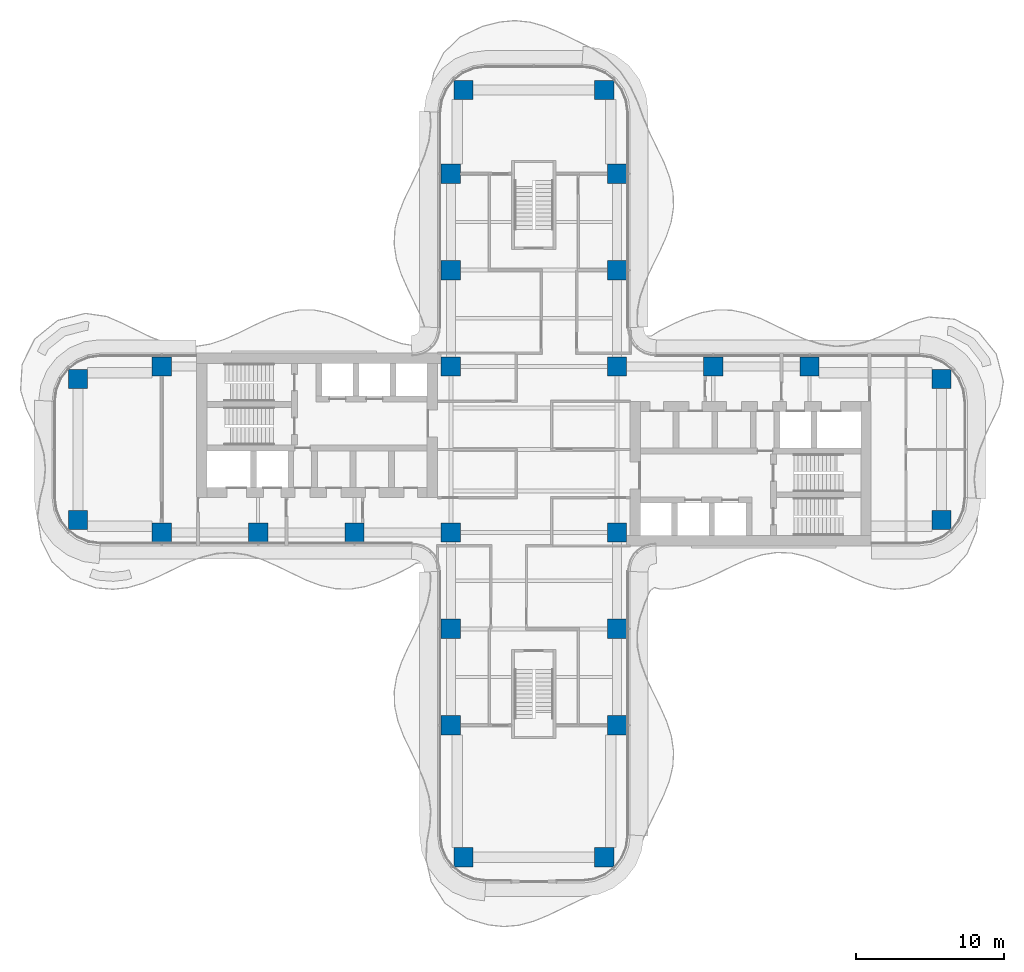
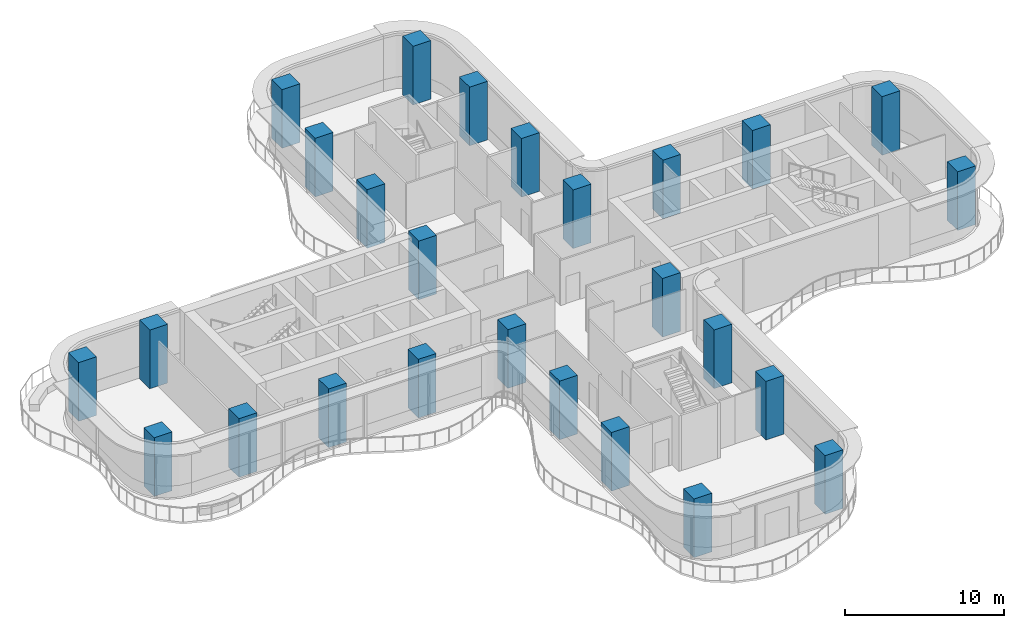
# One storey, part 1 of 21: 26 columns.
"""IFC4 building model written with IfcOpenShell, lengths in metres."""

from ifc_helpers import new_model, si_unit, direction, frame, origin, origin_2d, place, context, subcontext, project, spatial, rectangle, extrude, source, transform, mapped, material, material_profile, profile_set, type_object, element, save


model = new_model("IFC4")

# Units and contexts
model_context = context("Model", 3, precision=1e-05, world=origin(), true_north=direction((0.0, 1.0)))
body_context = subcontext(model_context, "Body", "Model", "MODEL_VIEW")
ifc_project = project(units=[si_unit("LENGTHUNIT", "METRE"), si_unit("AREAUNIT", "SQUARE_METRE"), si_unit("VOLUMEUNIT", "CUBIC_METRE"), si_unit("PLANEANGLEUNIT", "RADIAN"), si_unit("MASSUNIT", "GRAM", prefix="KILO")], contexts=[model_context])

# Site, building, storey
site_placement = place(None, origin())
site = spatial("IfcSite", under=ifc_project, at=site_placement, CompositionType="ELEMENT")
building_placement = place(site_placement, origin())
building = spatial("IfcBuilding", under=site, at=building_placement, Name="Trellis Farm Tower", CompositionType="ELEMENT")
storey_placement = place(building_placement, frame((0.0, 0.0, 102.0)))
storey = spatial("IfcBuildingStorey", under=building, at=storey_placement, Name="L21", CompositionType="ELEMENT", Elevation=102.0)

# Columns
ifc_material = material(Name="Concrete C80/95", Category="concrete")
ifc_material_profile = material_profile(ifc_material, rectangle(XDim=1.300048828125, YDim=1.300048828125, at=origin_2d()), Name="RC column 1300x1300 C80/95")
ifc_profile_set = profile_set([ifc_material_profile], Name="Concrete C80/95")
column_type = type_object("IfcColumnType", Name="RC column 1300x1300 C80/95", PredefinedType="COLUMN", material=ifc_profile_set)
shared_shape = source(origin(), body_context, "Body", "SweptSolid", [
    extrude(rectangle(XDim=1.300048828125, YDim=1.300048828125, at=origin_2d()), origin(), (0.0, 0.0, 1.0), 4.5),
])
for number, where, z_axis, x_axis, name in (
    (1, (12.10009765625, 5.60009765625, 0.0), (0.0, 0.0, 1.0), (1.0, 0.0, 0.0), "Column"),
    (2, (18.60009765625, 5.60009765625, 0.0), (0.0, 0.0, 1.0), (1.0, 0.0, 0.0), "Column"),
    (3, (27.5, 4.75, 0.0), (0.0, 0.0, 1.0), (1.0, 0.0, 0.0), "Column"),
    (4, (27.5, -4.75, 0.0), (0.0, 0.0, 1.0), (1.0, 0.0, 0.0), "Column"),
    (5, (-5.60009765625, 12.10009765625, 0.0), (0.0, 0.0, 1.0), (1.0, 0.0, 0.0), "Column"),
    (6, (-5.60009765625, 18.60009765625, 0.0), (0.0, 0.0, 1.0), (1.0, 0.0, 0.0), "Column"),
    (7, (-4.75, 24.25, 0.0), (0.0, 0.0, 1.0), (1.0, 0.0, 0.0), "Column"),
    (8, (5.60009765625, 12.10009765625, 0.0), (0.0, 0.0, 1.0), (1.0, 0.0, 0.0), "Column"),
    (9, (5.60009765625, 18.60009765625, 0.0), (0.0, 0.0, 1.0), (1.0, 0.0, 0.0), "Column"),
    (10, (4.75, 24.25, 0.0), (0.0, 0.0, 1.0), (1.0, 0.0, 0.0), "Column"),
    (11, (5.60009765625, 5.60009765625, 0.0), (0.0, 0.0, 1.0), (1.0, 0.0, 0.0), "Column"),
    (12, (-5.60009765625, 5.60009765625, 0.0), (0.0, 0.0, 1.0), (1.0, 0.0, 0.0), "Column"),
    (13, (5.60009765625, -5.60009765625, 0.0), (0.0, 0.0, 1.0), (1.0, 0.0, 0.0), "Column"),
    (14, (-5.60009765625, -5.60009765625, 0.0), (0.0, 0.0, 1.0), (1.0, 0.0, 0.0), "Column"),
    (15, (5.60009765625, -12.10009765625, 0.0), (0.0, 0.0, 1.0), (1.0, 0.0, 0.0), "Column"),
    (16, (5.60009765625, -18.60009765625, 0.0), (0.0, 0.0, 1.0), (1.0, 0.0, 0.0), "Column"),
    (17, (4.75, -27.5, 0.0), (0.0, 0.0, 1.0), (1.0, 0.0, 0.0), "Column"),
    (18, (-5.60009765625, -12.10009765625, 0.0), (0.0, 0.0, 1.0), (1.0, 0.0, 0.0), "Column"),
    (19, (-5.60009765625, -18.60009765625, 0.0), (0.0, 0.0, 1.0), (1.0, 0.0, 0.0), "Column"),
    (20, (-4.75, -27.5, 0.0), (0.0, 0.0, 1.0), (1.0, 0.0, 0.0), "Column"),
    (21, (-12.10009765625, -5.60009765625, 0.0), (0.0, 0.0, 1.0), (1.0, 0.0, 0.0), "Column"),
    (22, (-18.60009765625, -5.60009765625, 0.0), (0.0, 0.0, 1.0), (1.0, 0.0, 0.0), "Column"),
    (23, (-25.10009765625, -5.60009765625, 0.0), (0.0, 0.0, 1.0), (1.0, 0.0, 0.0), "Column"),
    (24, (-30.75, -4.75, 0.0), (0.0, 0.0, 1.0), (1.0, 0.0, 0.0), "Column"),
    (25, (-25.10009765625, 5.60009765625, 0.0), (0.0, 0.0, 1.0), (1.0, 0.0, 0.0), "Column"),
    (26, (-30.75, 4.75, 0.0), (0.0, 0.0, 1.0), (1.0, 0.0, 0.0), "Column"),
):
    element("IfcColumn", number, at=place(storey_placement, frame(where, z_axis=z_axis, x_axis=x_axis)), inside=storey, type_object=column_type, Name=name, PredefinedType="COLUMN", context=body_context, shape_type="MappedRepresentation", body=[
        mapped(shared_shape, transform((0.0, 0.0, 0.0))),
    ])

save(model, "model.ifc")
